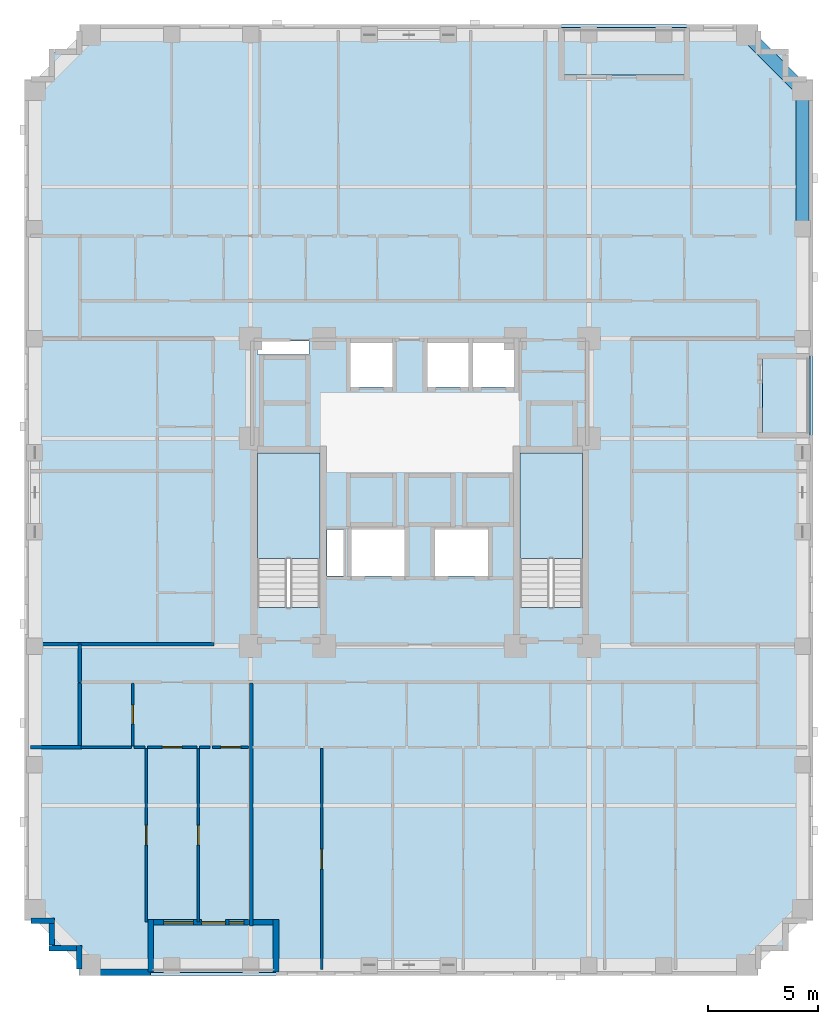
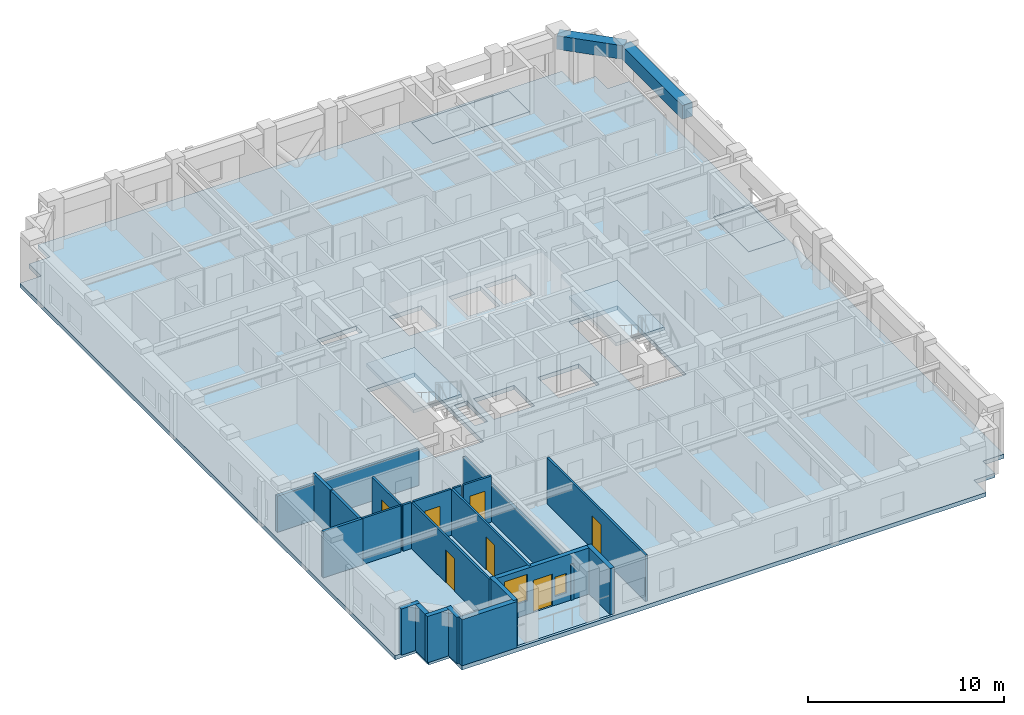
# One storey, part 2 of 12: 22 walls, 7 doors, 6 slabs, 2 beams, 2 windows, 9 openings, 2 elements without a shape of their own.
"""IFC4 building model written with IfcOpenShell, lengths in metres."""

from ifc_helpers import new_model, si_unit, derived_unit, direction, frame, frame_2d, origin, origin_2d, place, context, subcontext, project, spatial, polyline, rectangle, outline, extrude, material, layer, layer_set, material_profile, profile_set, type_object, element, fill, aggregate, save


model = new_model("IFC4")

# Units and contexts
model_context = context("Model", 3, precision=1e-05, world=origin(), true_north=direction((0.0, 1.0)))
body_context = subcontext(model_context, "Body", "Model", "MODEL_VIEW")
ifc_project = project(units=[si_unit("LENGTHUNIT", "METRE"), si_unit("AREAUNIT", "SQUARE_METRE"), si_unit("VOLUMEUNIT", "CUBIC_METRE"), si_unit("PLANEANGLEUNIT", "RADIAN"), si_unit("MASSUNIT", "GRAM", prefix="KILO"), derived_unit("THERMALTRANSMITTANCEUNIT", [(si_unit("MASSUNIT", "GRAM", prefix="KILO"), 1), (si_unit("TIMEUNIT", "SECOND"), -3), (si_unit("THERMODYNAMICTEMPERATUREUNIT", "KELVIN"), -1)])], contexts=[model_context])

# Site, building, storey
site_placement = place(None, origin())
site = spatial("IfcSite", under=ifc_project, at=site_placement, CompositionType="ELEMENT")
building_placement = place(site_placement, origin())
building = spatial("IfcBuilding", under=site, at=building_placement, Name="Korrvale Station Residences", CompositionType="ELEMENT")
storey_placement = place(building_placement, frame((0.0, 0.0, 116.699951171875)))
storey = spatial("IfcBuildingStorey", under=building, at=storey_placement, Name="L33", CompositionType="ELEMENT", Elevation=116.699951171875)

# Beams
ifc_material_1 = material(Name="Concrete C60/75", Category="concrete")
ifc_material_profile = material_profile(ifc_material_1, rectangle(XDim=0.60009765625, YDim=0.85009765625, at=origin_2d()), Name="RCB600x850")
ifc_profile_set = profile_set([ifc_material_profile], Name="Concrete C60/75")
beam_type = type_object("IfcBeamType", Name="BM-SPB-RCB600x850-C6075", PredefinedType="SPANDREL", material=ifc_profile_set)
beam_1_placement = place(storey_placement, frame((42.919921875, 34.0, 2.455078125), z_axis=(0.0, 1.0, 0.0), x_axis=(-1.0, 0.0, 0.0)))
element("IfcBeam", 1, at=beam_1_placement, inside=storey, type_object=beam_type, Name="L33 East Tube Spandrel 28", PredefinedType="SPANDREL", context=body_context, shape_type="SweptSolid", body=[
    extrude(rectangle(XDim=0.60009765625, YDim=0.85009765625, at=origin_2d()), origin(), (0.0, 0.0, 1.0), 6.300048828125),
])
beam_2_placement = place(storey_placement, frame((40.39990234375, 42.820068359375, 2.455078125), z_axis=(0.707106781187, -0.707106781187, 0.0), x_axis=(0.707106781187, 0.707106781187, 0.0)))
element("IfcBeam", 2, at=beam_2_placement, inside=storey, type_object=beam_type, Name="L33 Serrated Corner Spandrel 31", PredefinedType="SPANDREL", context=body_context, shape_type="SweptSolid", body=[
    extrude(rectangle(XDim=0.60009765625, YDim=0.85009765625, at=origin_2d()), origin(), (0.0, 0.0, 1.0), 3.56396484375),
])

# Slabs
ifc_material_2 = material(Name="Concrete C50/60", Category="concrete")
ifc_layer_1 = layer(ifc_material_2, 0.219970703125, Name="Concrete C50/60")
ifc_layer_set_1 = layer_set([ifc_layer_1], Name="Concrete C50/60")
slab_type_1 = type_object("IfcSlabType", Name="SLB-BAL-220", PredefinedType="FLOOR", material=ifc_layer_set_1)
slab_1_placement = place(storey_placement, frame((0.0, 0.0, -0.219970703125)))
element("IfcSlab", 3, at=slab_1_placement, inside=storey, type_object=slab_type_1, Name="L33 Recessed Loggia Balcony Slab BAL-L33-S1", PredefinedType="FLOOR", context=body_context, shape_type="SweptSolid", body=[
    extrude(outline(polyline([(13.25, 0.14990234375), (18.949951171875, 0.14990234375), (18.949951171875, 2.300048828125), (13.25, 2.300048828125), (13.25, 0.14990234375)])), origin(), (0.0, 0.0, 1.0), 0.219970703125),
])
slab_2_placement = place(storey_placement, frame((0.0, 0.0, -0.219970703125)))
element("IfcSlab", 4, at=slab_2_placement, inside=storey, type_object=slab_type_1, Name="L33 Recessed Loggia Balcony Slab BAL-L33-N1", PredefinedType="FLOOR", context=body_context, shape_type="SweptSolid", body=[
    extrude(outline(polyline([(31.949951171875, 41.0), (37.64990234375, 41.0), (37.64990234375, 43.14990234375), (31.949951171875, 43.14990234375), (31.949951171875, 41.0)])), origin(), (0.0, 0.0, 1.0), 0.219970703125),
])
slab_3_placement = place(storey_placement, frame((0.0, 0.0, -0.219970703125)))
element("IfcSlab", 5, at=slab_3_placement, inside=storey, type_object=slab_type_1, Name="L33 Recessed Loggia Balcony Slab BAL-L33-E1", PredefinedType="FLOOR", context=body_context, shape_type="SweptSolid", body=[
    extrude(outline(polyline([(41.10009765625, 24.60009765625), (43.25, 24.60009765625), (43.25, 28.199951171875), (41.10009765625, 28.199951171875), (41.10009765625, 24.60009765625)])), origin(), (0.0, 0.0, 1.0), 0.219970703125),
])
ifc_layer_2 = layer(ifc_material_2, 0.260009765625, Name="Concrete C50/60")
ifc_layer_set_2 = layer_set([ifc_layer_2], Name="Concrete C50/60")
slab_type_2 = type_object("IfcSlabType", Name="SLB-FLR-260", PredefinedType="FLOOR", material=ifc_layer_set_2)
slab_4_placement = place(storey_placement, frame((0.0, 0.0, -0.260009765625)))
element("IfcSlab", 6, at=slab_4_placement, inside=storey, type_object=slab_type_2, Name="L33 Suspended Structural Floor Slab", PredefinedType="FLOOR", context=body_context, shape_type="SweptSolid", body=[
    extrude(outline(polyline([(10.0, 0.0), (40.89990234375, 0.0), (40.89990234375, 1.25), (42.14990234375, 1.25), (42.14990234375, 2.5), (43.39990234375, 2.5), (43.39990234375, 40.800048828125), (42.14990234375, 40.800048828125), (42.14990234375, 42.050048828125), (40.89990234375, 42.050048828125), (40.89990234375, 43.300048828125), (10.0, 43.300048828125), (10.0, 42.050048828125), (8.75, 42.050048828125), (8.75, 40.800048828125), (7.5, 40.800048828125), (7.5, 2.5), (8.75, 2.5), (8.75, 1.25), (10.0, 1.25), (10.0, 0.0)]), holes=[polyline([(20.949951171875, 16.751953125), (20.949951171875, 23.800048828125), (18.10009765625, 23.800048828125), (18.10009765625, 16.751953125), (20.949951171875, 16.751953125)]), polyline([(32.89990234375, 16.751953125), (32.89990234375, 23.800048828125), (30.050048828125, 23.800048828125), (30.050048828125, 16.751953125), (32.89990234375, 16.751953125)]), polyline([(22.35009765625, 26.800048828125), (24.25, 26.800048828125), (24.25, 28.800048828125), (22.35009765625, 28.800048828125), (22.35009765625, 26.800048828125)]), polyline([(25.85009765625, 26.800048828125), (27.7099609375, 26.800048828125), (27.7099609375, 28.800048828125), (25.85009765625, 28.800048828125), (25.85009765625, 26.800048828125)]), polyline([(27.929931640625, 26.800048828125), (29.7900390625, 26.800048828125), (29.7900390625, 28.800048828125), (27.929931640625, 28.800048828125), (27.929931640625, 26.800048828125)]), polyline([(22.39990234375, 18.199951171875), (24.800048828125, 18.199951171875), (24.800048828125, 20.300048828125), (22.39990234375, 20.300048828125), (22.39990234375, 18.199951171875)]), polyline([(26.199951171875, 18.199951171875), (28.60009765625, 18.199951171875), (28.60009765625, 20.300048828125), (26.199951171875, 20.300048828125), (26.199951171875, 18.199951171875)]), polyline([(18.10009765625, 28.280029296875), (20.449951171875, 28.280029296875), (20.449951171875, 28.8798828125), (18.10009765625, 28.8798828125), (18.10009765625, 28.280029296875)]), polyline([(21.280029296875, 18.199951171875), (22.02001953125, 18.199951171875), (22.02001953125, 20.300048828125), (21.280029296875, 20.300048828125), (21.280029296875, 18.199951171875)]), polyline([(13.25, 0.14990234375), (18.949951171875, 0.14990234375), (18.949951171875, 2.300048828125), (13.25, 2.300048828125), (13.25, 0.14990234375)]), polyline([(31.949951171875, 41.0), (37.64990234375, 41.0), (37.64990234375, 43.14990234375), (31.949951171875, 43.14990234375), (31.949951171875, 41.0)]), polyline([(41.10009765625, 24.60009765625), (43.25, 24.60009765625), (43.25, 28.199951171875), (41.10009765625, 28.199951171875), (41.10009765625, 24.60009765625)])]), origin(), (0.0, 0.0, 1.0), 0.260009765625),
])

# Stair, slab
stair_type = type_object("IfcStairType", Name="STR-DL-1350-18R-1778", PredefinedType="HALF_TURN_STAIR", material=ifc_material_2)
stair_1_placement = place(storey_placement, origin())
stair_1 = element("IfcStair", 7, at=stair_1_placement, inside=storey, type_object=stair_type, Name="L33 Exit Stair 1", PredefinedType="HALF_TURN_STAIR")
ifc_layer_3 = layer(ifc_material_2, 0.199951171875, Name="Concrete C50/60")
ifc_layer_set_3 = layer_set([ifc_layer_3], Name="Concrete C50/60")
slab_type_3 = type_object("IfcSlabType", Name="SLB-LND-200", PredefinedType="LANDING", material=ifc_layer_set_3)
slab_5_placement = place(storey_placement, frame((0.0, 0.0, 1.400146484375)))
slab_5 = element("IfcSlab", 8, at=slab_5_placement, type_object=slab_type_3, Name="ST-1 landing 1", PredefinedType="LANDING", context=body_context, shape_type="SweptSolid", body=[
    extrude(outline(polyline([(20.949951171875, 18.989990234375), (20.949951171875, 23.800048828125), (18.10009765625, 23.800048828125), (18.10009765625, 18.989990234375), (20.949951171875, 18.989990234375)])), origin(), (0.0, 0.0, 1.0), 0.199951171875),
])
aggregate(stair_1, [slab_5])

stair_2_placement = place(storey_placement, origin())
stair_2 = element("IfcStair", 9, at=stair_2_placement, inside=storey, type_object=stair_type, Name="L33 Exit Stair 2", PredefinedType="HALF_TURN_STAIR")
slab_6_placement = place(storey_placement, frame((0.0, 0.0, 1.400146484375)))
slab_6 = element("IfcSlab", 10, at=slab_6_placement, type_object=slab_type_3, Name="ST-2 landing 1", PredefinedType="LANDING", context=body_context, shape_type="SweptSolid", body=[
    extrude(outline(polyline([(32.89990234375, 18.989990234375), (32.89990234375, 23.800048828125), (30.050048828125, 23.800048828125), (30.050048828125, 18.989990234375), (32.89990234375, 18.989990234375)])), origin(), (0.0, 0.0, 1.0), 0.199951171875),
])
aggregate(stair_2, [slab_6])

# Wall
ifc_material_3 = material(Name="Precast concrete C45/55", Category="concrete")
ifc_layer_4 = layer(ifc_material_3, 0.260009765625, Name="Precast concrete C45/55")
ifc_layer_set_4 = layer_set([ifc_layer_4], Name="Precast concrete C45/55")
wall_type_1 = type_object("IfcWallType", Name="WAL-EXT-LOG260", PredefinedType="SOLIDWALL", material=ifc_layer_set_4)
wall_1_placement = place(storey_placement, frame((18.949951171875, 0.159912109375, 0.0), z_axis=(0.0, 0.0, 1.0), x_axis=(0.0, 1.0, 0.0)))
element("IfcWall", 11, at=wall_1_placement, inside=storey, type_object=wall_type_1, Name="L33 Recessed Loggia Wall BAL-L33-S1-L", PredefinedType="SOLIDWALL", context=body_context, shape_type="SweptSolid", body=[
    extrude(rectangle(XDim=2.400146484375, YDim=0.260009765625, at=frame_2d((1.2001953125, 0.0))), origin(), (0.0, 0.0, 1.0), 2.880126953125),
])

# Wall, openings, door, windows
wall_2_placement = place(storey_placement, frame((18.81591796875, 2.429931640625, 0.0), z_axis=(0.0, 0.0, 1.0), x_axis=(-1.0, 0.0, 0.0)))
wall_2 = element("IfcWall", 12, at=wall_2_placement, inside=storey, type_object=wall_type_1, Name="L33 Recessed Loggia Wall BAL-L33-S1-B", PredefinedType="SOLIDWALL", context=body_context, shape_type="SweptSolid", body=[
    extrude(rectangle(XDim=5.431884765625, YDim=0.260009765625, at=frame_2d((2.7158203125, 0.0))), origin(), (0.0, 0.0, 1.0), 2.880126953125),
])
opening_1_placement = place(wall_2_placement, frame((2.160888671875, 0.0, 0.0)))
opening_1 = element("IfcOpeningElement", 13, at=opening_1_placement, cuts=wall_2, Name="Opening BD-01", PredefinedType="OPENING", context=body_context, shape_type="SweptSolid", body=[
    extrude(rectangle(XDim=1.10009765625, YDim=2.0, at=frame_2d((0.550048828125, 1.0))), frame((0.0, 0.14013671875, 0.0), z_axis=(0.0, -1.0, 0.0), x_axis=(1.0, 0.0, 0.0)), (0.0, 0.0, 1.0), 0.280029296875),
])
opening_2_placement = place(wall_2_placement, frame((3.625, 0.0, 0.85009765625)))
opening_2 = element("IfcOpeningElement", 14, at=opening_2_placement, cuts=wall_2, Name="Opening W-06", PredefinedType="OPENING", context=body_context, shape_type="SweptSolid", body=[
    extrude(rectangle(XDim=1.35009765625, YDim=1.64990234375, at=frame_2d((0.675048828125, 0.824951171875))), frame((0.0, 0.14013671875, 0.0), z_axis=(0.0, -1.0, 0.0), x_axis=(1.0, 0.0, 0.0)), (0.0, 0.0, 1.0), 0.280029296875),
])
opening_3_placement = place(wall_2_placement, frame((1.321044921875, 0.0, 0.550048828125)))
opening_3 = element("IfcOpeningElement", 15, at=opening_3_placement, cuts=wall_2, Name="Opening W-12", PredefinedType="OPENING", context=body_context, shape_type="SweptSolid", body=[
    extrude(rectangle(XDim=0.679931640625, YDim=1.199951171875, at=frame_2d((0.33984375, 0.60009765625))), frame((0.0, 0.14013671875, 0.0), z_axis=(0.0, -1.0, 0.0), x_axis=(1.0, 0.0, 0.0)), (0.0, 0.0, 1.0), 0.280029296875),
])
ifc_material_4 = material(Name="Exterior thermally broken aluminium glazed balcony door", Category="aluminium")
door_type_1 = type_object("IfcDoorType", Name="DR-EXT-BAL", OperationType="NOTDEFINED", PredefinedType="DOOR", material=ifc_material_4)
door_1_placement = place(opening_1_placement, origin())
door_1 = element("IfcDoor", 16, at=door_1_placement, inside=storey, type_object=door_type_1, Name="L33 Loggia Balcony Door BAL-L33-S1", OperationType="SINGLE_SWING_LEFT", OverallHeight=2.0, OverallWidth=1.10009765625, PredefinedType="DOOR", context=body_context, shape_type="SweptSolid", body=[
    extrude(rectangle(XDim=1.10009765625, YDim=2.0, at=frame_2d((0.550048828125, 1.0))), frame((0.0, 0.02490234375, 0.0), z_axis=(0.0, -1.0, 0.0), x_axis=(1.0, 0.0, 0.0)), (0.0, 0.0, 1.0), 0.050048828125),
])
fill(opening_1, door_1)
ifc_material_5 = material(Name="Thermally broken aluminium frame with triple low-e glazing", Category="aluminium")
window_type_1 = type_object("IfcWindowType", Name="WIN-W06", PartitioningType="SINGLE_PANEL", PredefinedType="WINDOW", material=ifc_material_5)
window_1_placement = place(opening_2_placement, origin())
window_1 = element("IfcWindow", 17, at=window_1_placement, inside=storey, type_object=window_type_1, Name="L33 Punched Window 03", OverallHeight=1.64990234375, OverallWidth=1.35009765625, PartitioningType="SINGLE_PANEL", PredefinedType="WINDOW", context=body_context, shape_type="SweptSolid", body=[
    extrude(rectangle(XDim=1.35009765625, YDim=1.64990234375, at=frame_2d((0.675048828125, 0.824951171875))), frame((0.0, 0.030029296875, 0.0), z_axis=(0.0, -1.0, 0.0), x_axis=(1.0, 0.0, 0.0)), (0.0, 0.0, 1.0), 0.06005859375),
])
fill(opening_2, window_1)
window_type_2 = type_object("IfcWindowType", Name="WIN-W12", PartitioningType="SINGLE_PANEL", PredefinedType="WINDOW", material=ifc_material_5)
window_2_placement = place(opening_3_placement, origin())
window_2 = element("IfcWindow", 18, at=window_2_placement, inside=storey, type_object=window_type_2, Name="L33 Punched Window 04", OverallHeight=1.199951171875, OverallWidth=0.679931640625, PartitioningType="SINGLE_PANEL", PredefinedType="WINDOW", context=body_context, shape_type="SweptSolid", body=[
    extrude(rectangle(XDim=0.679931640625, YDim=1.199951171875, at=frame_2d((0.33984375, 0.60009765625))), frame((0.0, 0.030029296875, 0.0), z_axis=(0.0, -1.0, 0.0), x_axis=(1.0, 0.0, 0.0)), (0.0, 0.0, 1.0), 0.06005859375),
])
fill(opening_3, window_2)

# Walls
wall_3_placement = place(storey_placement, frame((13.25, 2.56005859375, 0.0), z_axis=(0.0, 0.0, 1.0), x_axis=(0.0, -1.0, 0.0)))
element("IfcWall", 19, at=wall_3_placement, inside=storey, type_object=wall_type_1, Name="L33 Recessed Loggia Wall BAL-L33-S1-R", PredefinedType="SOLIDWALL", context=body_context, shape_type="SweptSolid", body=[
    extrude(rectangle(XDim=2.400146484375, YDim=0.260009765625, at=frame_2d((1.2001953125, 0.0))), origin(), (0.0, 0.0, 1.0), 2.880126953125),
])
wall_4_placement = place(storey_placement, frame((10.0, 0.302001953125, 0.0), z_axis=(0.0, 0.0, 1.0), x_axis=(0.0, 1.0, 0.0)))
element("IfcWall", 20, at=wall_4_placement, inside=storey, type_object=wall_type_1, Name="L33 Serrated Corner Precast Step SW-1", PredefinedType="SOLIDWALL", context=body_context, shape_type="SweptSolid", body=[
    extrude(rectangle(XDim=1.077880859375, YDim=0.260009765625, at=frame_2d((0.5390625, 0.0))), origin(), (0.0, 0.0, 1.0), 2.880126953125),
])
wall_5_placement = place(storey_placement, frame((9.867919921875, 1.25, 0.0), z_axis=(0.0, 0.0, 1.0), x_axis=(-1.0, 0.0, 0.0)))
element("IfcWall", 21, at=wall_5_placement, inside=storey, type_object=wall_type_1, Name="L33 Serrated Corner Precast Step SW-2", PredefinedType="SOLIDWALL", context=body_context, shape_type="SweptSolid", body=[
    extrude(rectangle(XDim=1.247802734375, YDim=0.260009765625, at=frame_2d((0.6240234375, 0.0))), origin(), (0.0, 0.0, 1.0), 2.880126953125),
])
wall_6_placement = place(storey_placement, frame((8.75, 1.382080078125, 0.0), z_axis=(0.0, 0.0, 1.0), x_axis=(0.0, 1.0, 0.0)))
element("IfcWall", 22, at=wall_6_placement, inside=storey, type_object=wall_type_1, Name="L33 Serrated Corner Precast Step SW-3", PredefinedType="SOLIDWALL", context=body_context, shape_type="SweptSolid", body=[
    extrude(rectangle(XDim=0.98583984375, YDim=0.260009765625, at=frame_2d((0.492919921875, 0.0))), origin(), (0.0, 0.0, 1.0), 2.880126953125),
])
wall_7_placement = place(storey_placement, frame((8.8798828125, 2.5, 0.0), z_axis=(0.0, 0.0, 1.0), x_axis=(-1.0, 0.0, 0.0)))
element("IfcWall", 23, at=wall_7_placement, inside=storey, type_object=wall_type_1, Name="L33 Serrated Corner Precast Step SW-4", PredefinedType="SOLIDWALL", context=body_context, shape_type="SweptSolid", body=[
    extrude(rectangle(XDim=1.077880859375, YDim=0.260009765625, at=frame_2d((0.5390625, 0.0))), origin(), (0.0, 0.0, 1.0), 2.880126953125),
])
ifc_layer_5 = layer(ifc_material_3, 0.300048828125, Name="Precast concrete C45/55")
ifc_layer_set_5 = layer_set([ifc_layer_5], Name="Precast concrete C45/55")
wall_type_2 = type_object("IfcWallType", Name="WAL-EXT-PC300", PredefinedType="SOLIDWALL", material=ifc_layer_set_5)
wall_8_placement = place(storey_placement, frame((13.25, 0.14990234375, 0.0), z_axis=(0.0, 0.0, 1.0), x_axis=(-1.0, 0.0, 0.0)))
element("IfcWall", 24, at=wall_8_placement, inside=storey, type_object=wall_type_2, Name="L33 South Exterior Precast Wall 2", PredefinedType="SOLIDWALL", context=body_context, shape_type="SweptSolid", body=[
    extrude(rectangle(XDim=3.25, YDim=0.300048828125, at=frame_2d((1.625, 0.0))), origin(), (0.0, 0.0, 1.0), 2.880126953125),
])

# Wall, opening, door
ifc_material_6 = material(Name="Acoustic steel-stud gypsum board partition", Category="steel")
ifc_layer_6 = layer(ifc_material_6, 0.1201171875, Name="Acoustic steel-stud gypsum board partition")
ifc_layer_set_6 = layer_set([ifc_layer_6], Name="Acoustic steel-stud gypsum board partition")
wall_type_3 = type_object("IfcWallType", Name="WAL-PART-125", PredefinedType="PARTITIONING", material=ifc_layer_set_6)
wall_9_placement = place(storey_placement, frame((12.431884765625, 10.4599609375, 0.0), z_axis=(0.0, 0.0, 1.0), x_axis=(0.0, 1.0, 0.0)))
wall_9 = element("IfcWall", 25, at=wall_9_placement, inside=storey, type_object=wall_type_3, Name="L33 Suite Partition U01-V01", PredefinedType="PARTITIONING", context=body_context, shape_type="SweptSolid", body=[
    extrude(rectangle(XDim=2.85009765625, YDim=0.1201171875, at=frame_2d((1.425048828125, 0.0))), origin(), (0.0, 0.0, 1.0), 2.880126953125),
])
opening_4_placement = place(wall_9_placement, frame((0.9951171875, 0.0, 0.0)))
opening_4 = element("IfcOpeningElement", 26, at=opening_4_placement, cuts=wall_9, Name="Opening DB-860", PredefinedType="OPENING", context=body_context, shape_type="SweptSolid", body=[
    extrude(rectangle(XDim=0.860107421875, YDim=2.050048828125, at=frame_2d((0.43017578125, 1.02490234375))), frame((0.0, 0.070068359375, 0.0), z_axis=(0.0, -1.0, 0.0), x_axis=(1.0, 0.0, 0.0)), (0.0, 0.0, 1.0), 0.14013671875),
])
ifc_material_7 = material(Name="Moisture-resistant solid-core bathroom door", Category="timber")
door_type_2 = type_object("IfcDoorType", Name="DR-BATH-860", OperationType="NOTDEFINED", PredefinedType="DOOR", material=ifc_material_7)
door_2_placement = place(opening_4_placement, origin())
door_2 = element("IfcDoor", 27, at=door_2_placement, inside=storey, type_object=door_type_2, Name="L33 Apartment 2BR L33-U01 Bathroom Door", OperationType="SINGLE_SWING_RIGHT", OverallHeight=2.050048828125, OverallWidth=0.860107421875, PredefinedType="DOOR", context=body_context, shape_type="SweptSolid", body=[
    extrude(rectangle(XDim=0.860107421875, YDim=2.050048828125, at=frame_2d((0.43017578125, 1.02490234375))), frame((0.0, 0.02490234375, 0.0), z_axis=(0.0, -1.0, 0.0), x_axis=(1.0, 0.0, 0.0)), (0.0, 0.0, 1.0), 0.050048828125),
])
fill(opening_4, door_2)

# Walls
wall_10_placement = place(storey_placement, frame((10.080078125, 10.39990234375, 0.0), z_axis=(0.0, 0.0, 1.0), x_axis=(1.0, 0.0, 0.0)))
element("IfcWall", 28, at=wall_10_placement, inside=storey, type_object=wall_type_3, Name="L33 Suite Partition U01-H03", PredefinedType="PARTITIONING", context=body_context, shape_type="SweptSolid", body=[
    extrude(rectangle(XDim=2.2919921875, YDim=0.1201171875, at=frame_2d((1.14599609375, 0.0))), origin(), (0.0, 0.0, 1.0), 2.880126953125),
])
wall_11_placement = place(storey_placement, frame((12.491943359375, 10.39990234375, 0.0), z_axis=(0.0, 0.0, 1.0), x_axis=(1.0, 0.0, 0.0)))
element("IfcWall", 29, at=wall_11_placement, inside=storey, type_object=wall_type_3, Name="L33 Suite Partition U01-H13", PredefinedType="PARTITIONING", context=body_context, shape_type="SweptSolid", body=[
    extrude(rectangle(XDim=0.498046875, YDim=0.1201171875, at=frame_2d((0.2490234375, 0.0))), origin(), (0.0, 0.0, 1.0), 2.880126953125),
])

# Wall, opening, door
wall_12_placement = place(storey_placement, frame((13.110107421875, 10.39990234375, 0.0), z_axis=(0.0, 0.0, 1.0), x_axis=(1.0, 0.0, 0.0)))
wall_12 = element("IfcWall", 30, at=wall_12_placement, inside=storey, type_object=wall_type_3, Name="L33 Suite Partition U01-H14", PredefinedType="PARTITIONING", context=body_context, shape_type="SweptSolid", body=[
    extrude(rectangle(XDim=2.244873046875, YDim=0.1201171875, at=frame_2d((1.12255859375, 0.0))), origin(), (0.0, 0.0, 1.0), 2.880126953125),
])
opening_5_placement = place(wall_12_placement, frame((0.673095703125, 0.0, 0.0)))
opening_5 = element("IfcOpeningElement", 31, at=opening_5_placement, cuts=wall_12, Name="Opening DI-900", PredefinedType="OPENING", context=body_context, shape_type="SweptSolid", body=[
    extrude(rectangle(XDim=0.89990234375, YDim=2.050048828125, at=frame_2d((0.449951171875, 1.02490234375))), frame((0.0, 0.070068359375, 0.0), z_axis=(0.0, -1.0, 0.0), x_axis=(1.0, 0.0, 0.0)), (0.0, 0.0, 1.0), 0.14013671875),
])
ifc_material_8 = material(Name="Painted solid-core timber interior room door", Category="wood")
door_type_3 = type_object("IfcDoorType", Name="DR-INT-900", OperationType="NOTDEFINED", PredefinedType="DOOR", material=ifc_material_8)
door_3_placement = place(opening_5_placement, origin())
door_3 = element("IfcDoor", 32, at=door_3_placement, inside=storey, type_object=door_type_3, Name="L33 Apartment 2BR L33-U01 Kitchen Door", OperationType="SINGLE_SWING_RIGHT", OverallHeight=2.050048828125, OverallWidth=0.89990234375, PredefinedType="DOOR", context=body_context, shape_type="SweptSolid", body=[
    extrude(rectangle(XDim=0.89990234375, YDim=2.050048828125, at=frame_2d((0.449951171875, 1.02490234375))), frame((0.0, 0.02490234375, 0.0), z_axis=(0.0, -1.0, 0.0), x_axis=(1.0, 0.0, 0.0)), (0.0, 0.0, 1.0), 0.050048828125),
])
fill(opening_5, door_3)

# Wall
wall_13_placement = place(storey_placement, frame((15.47509765625, 10.39990234375, 0.0), z_axis=(0.0, 0.0, 1.0), x_axis=(1.0, 0.0, 0.0)))
element("IfcWall", 33, at=wall_13_placement, inside=storey, type_object=wall_type_3, Name="L33 Suite Partition U01-H15", PredefinedType="PARTITIONING", context=body_context, shape_type="SweptSolid", body=[
    extrude(rectangle(XDim=0.466796875, YDim=0.1201171875, at=frame_2d((0.2333984375, 0.0))), origin(), (0.0, 0.0, 1.0), 2.880126953125),
])

# Wall, opening, door
wall_14_placement = place(storey_placement, frame((16.06201171875, 10.39990234375, 0.0), z_axis=(0.0, 0.0, 1.0), x_axis=(1.0, 0.0, 0.0)))
wall_14 = element("IfcWall", 34, at=wall_14_placement, inside=storey, type_object=wall_type_3, Name="L33 Suite Partition U01-H25", PredefinedType="PARTITIONING", context=body_context, shape_type="SweptSolid", body=[
    extrude(rectangle(XDim=1.657958984375, YDim=0.1201171875, at=frame_2d((0.8291015625, 0.0))), origin(), (0.0, 0.0, 1.0), 2.880126953125),
])
opening_6_placement = place(wall_14_placement, frame((0.37890625, 0.0, 0.0)))
opening_6 = element("IfcOpeningElement", 35, at=opening_6_placement, cuts=wall_14, Name="Opening DI-900", PredefinedType="OPENING", context=body_context, shape_type="SweptSolid", body=[
    extrude(rectangle(XDim=0.89990234375, YDim=2.050048828125, at=frame_2d((0.449951171875, 1.02490234375))), frame((0.0, 0.070068359375, 0.0), z_axis=(0.0, -1.0, 0.0), x_axis=(1.0, 0.0, 0.0)), (0.0, 0.0, 1.0), 0.14013671875),
])
door_4_placement = place(opening_6_placement, origin())
door_4 = element("IfcDoor", 36, at=door_4_placement, inside=storey, type_object=door_type_3, Name="L33 Apartment 2BR L33-U01 Utility and Laundry Room Door", OperationType="SINGLE_SWING_LEFT", OverallHeight=2.050048828125, OverallWidth=0.89990234375, PredefinedType="DOOR", context=body_context, shape_type="SweptSolid", body=[
    extrude(rectangle(XDim=0.89990234375, YDim=2.050048828125, at=frame_2d((0.449951171875, 1.02490234375))), frame((0.0, 0.02490234375, 0.0), z_axis=(0.0, -1.0, 0.0), x_axis=(1.0, 0.0, 0.0)), (0.0, 0.0, 1.0), 0.050048828125),
])
fill(opening_6, door_4)

wall_15_placement = place(storey_placement, frame((13.050048828125, 2.429931640625, 0.0), z_axis=(0.0, 0.0, 1.0), x_axis=(0.0, 1.0, 0.0)))
wall_15 = element("IfcWall", 37, at=wall_15_placement, inside=storey, type_object=wall_type_3, Name="L33 Suite Partition U01-V34", PredefinedType="PARTITIONING", context=body_context, shape_type="SweptSolid", body=[
    extrude(rectangle(XDim=7.91015625, YDim=0.1201171875, at=frame_2d((3.955078125, 0.0))), origin(), (0.0, 0.0, 1.0), 2.880126953125),
])
opening_7_placement = place(wall_15_placement, frame((3.5048828125, 0.0, 0.0)))
opening_7 = element("IfcOpeningElement", 38, at=opening_7_placement, cuts=wall_15, Name="Opening DI-900", PredefinedType="OPENING", context=body_context, shape_type="SweptSolid", body=[
    extrude(rectangle(XDim=0.89990234375, YDim=2.050048828125, at=frame_2d((0.449951171875, 1.02490234375))), frame((0.0, 0.070068359375, 0.0), z_axis=(0.0, -1.0, 0.0), x_axis=(1.0, 0.0, 0.0)), (0.0, 0.0, 1.0), 0.14013671875),
])
door_5_placement = place(opening_7_placement, origin())
door_5 = element("IfcDoor", 39, at=door_5_placement, inside=storey, type_object=door_type_3, Name="L33 Apartment 2BR L33-U01 Living and Dining Room Door", OperationType="SINGLE_SWING_RIGHT", OverallHeight=2.050048828125, OverallWidth=0.89990234375, PredefinedType="DOOR", context=body_context, shape_type="SweptSolid", body=[
    extrude(rectangle(XDim=0.89990234375, YDim=2.050048828125, at=frame_2d((0.449951171875, 1.02490234375))), frame((0.0, 0.02490234375, 0.0), z_axis=(0.0, -1.0, 0.0), x_axis=(1.0, 0.0, 0.0)), (0.0, 0.0, 1.0), 0.050048828125),
])
fill(opening_7, door_5)

wall_16_placement = place(storey_placement, frame((15.4150390625, 2.429931640625, 0.0), z_axis=(0.0, 0.0, 1.0), x_axis=(0.0, 1.0, 0.0)))
wall_16 = element("IfcWall", 40, at=wall_16_placement, inside=storey, type_object=wall_type_3, Name="L33 Suite Partition U01-V45", PredefinedType="PARTITIONING", context=body_context, shape_type="SweptSolid", body=[
    extrude(rectangle(XDim=7.91015625, YDim=0.1201171875, at=frame_2d((3.955078125, 0.0))), origin(), (0.0, 0.0, 1.0), 2.880126953125),
])
opening_8_placement = place(wall_16_placement, frame((3.5048828125, 0.0, 0.0)))
opening_8 = element("IfcOpeningElement", 41, at=opening_8_placement, cuts=wall_16, Name="Opening DI-900", PredefinedType="OPENING", context=body_context, shape_type="SweptSolid", body=[
    extrude(rectangle(XDim=0.89990234375, YDim=2.050048828125, at=frame_2d((0.449951171875, 1.02490234375))), frame((0.0, 0.070068359375, 0.0), z_axis=(0.0, -1.0, 0.0), x_axis=(1.0, 0.0, 0.0)), (0.0, 0.0, 1.0), 0.14013671875),
])
door_6_placement = place(opening_8_placement, origin())
door_6 = element("IfcDoor", 42, at=door_6_placement, inside=storey, type_object=door_type_3, Name="L33 Apartment 2BR L33-U01 Bedroom 1 Door", OperationType="SINGLE_SWING_LEFT", OverallHeight=2.050048828125, OverallWidth=0.89990234375, PredefinedType="DOOR", context=body_context, shape_type="SweptSolid", body=[
    extrude(rectangle(XDim=0.89990234375, YDim=2.050048828125, at=frame_2d((0.449951171875, 1.02490234375))), frame((0.0, 0.02490234375, 0.0), z_axis=(0.0, -1.0, 0.0), x_axis=(1.0, 0.0, 0.0)), (0.0, 0.0, 1.0), 0.050048828125),
])
fill(opening_8, door_6)

wall_17_placement = place(storey_placement, frame((21.0400390625, 0.280029296875, 0.0), z_axis=(0.0, 0.0, 1.0), x_axis=(0.0, 1.0, 0.0)))
wall_17 = element("IfcWall", 43, at=wall_17_placement, inside=storey, type_object=wall_type_3, Name="L33 Suite Partition U02-V78", PredefinedType="PARTITIONING", context=body_context, shape_type="SweptSolid", body=[
    extrude(rectangle(XDim=10.06005859375, YDim=0.1201171875, at=frame_2d((5.030029296875, 0.0))), origin(), (0.0, 0.0, 1.0), 2.880126953125),
])
opening_9_placement = place(wall_17_placement, frame((4.56494140625, 0.0, 0.0)))
opening_9 = element("IfcOpeningElement", 44, at=opening_9_placement, cuts=wall_17, Name="Opening DI-900", PredefinedType="OPENING", context=body_context, shape_type="SweptSolid", body=[
    extrude(rectangle(XDim=0.89990234375, YDim=2.050048828125, at=frame_2d((0.449951171875, 1.02490234375))), frame((0.0, 0.070068359375, 0.0), z_axis=(0.0, -1.0, 0.0), x_axis=(1.0, 0.0, 0.0)), (0.0, 0.0, 1.0), 0.14013671875),
])
door_7_placement = place(opening_9_placement, origin())
door_7 = element("IfcDoor", 45, at=door_7_placement, inside=storey, type_object=door_type_3, Name="L33 Studio Apartment L33-U02 Formal Dining Room Door", OperationType="SINGLE_SWING_RIGHT", OverallHeight=2.050048828125, OverallWidth=0.89990234375, PredefinedType="DOOR", context=body_context, shape_type="SweptSolid", body=[
    extrude(rectangle(XDim=0.89990234375, YDim=2.050048828125, at=frame_2d((0.449951171875, 1.02490234375))), frame((0.0, 0.02490234375, 0.0), z_axis=(0.0, -1.0, 0.0), x_axis=(1.0, 0.0, 0.0)), (0.0, 0.0, 1.0), 0.050048828125),
])
fill(opening_9, door_7)

# Walls
ifc_material_9 = material(Name="Fire-rated twin-stud gypsum and mineral wool shaftwall assembly", Category="gypsum")
ifc_layer_7 = layer(ifc_material_9, 0.159912109375, Name="Fire-rated twin-stud gypsum and mineral wool shaftwall assembly")
ifc_layer_set_7 = layer_set([ifc_layer_7], Name="Fire-rated twin-stud gypsum and mineral wool shaftwall assembly")
wall_type_4 = type_object("IfcWallType", Name="WAL-PART-200", PredefinedType="PARTITIONING", material=ifc_layer_set_7)
wall_18_placement = place(storey_placement, frame((10.02001953125, 13.35009765625, 0.0), z_axis=(0.0, 0.0, 1.0), x_axis=(0.0, 1.0, 0.0)))
element("IfcWall", 46, at=wall_18_placement, inside=storey, type_object=wall_type_4, Name="L33 Corridor South West Cap", PredefinedType="PARTITIONING", context=body_context, shape_type="SweptSolid", body=[
    extrude(rectangle(XDim=1.739990234375, YDim=0.159912109375, at=frame_2d((0.8701171875, 0.0))), origin(), (0.0, 0.0, 1.0), 2.880126953125),
])
wall_19_placement = place(storey_placement, frame((7.780029296875, 15.090087890625, 0.0), z_axis=(0.0, 0.0, 1.0), x_axis=(1.0, 0.0, 0.0)))
element("IfcWall", 47, at=wall_19_placement, inside=storey, type_object=wall_type_4, Name="L33 West Wing South Corridor Wall", PredefinedType="PARTITIONING", context=body_context, shape_type="SweptSolid", body=[
    extrude(rectangle(XDim=8.35986328125, YDim=0.159912109375, at=frame_2d((4.179931640625, 0.0))), origin(), (0.0, 0.0, 1.0), 2.2529296875),
])
wall_20_placement = place(storey_placement, frame((7.780029296875, 10.39990234375, 0.0), z_axis=(0.0, 0.0, 1.0), x_axis=(1.0, 0.0, 0.0)))
element("IfcWall", 48, at=wall_20_placement, inside=storey, type_object=wall_type_4, Name="L33 Corner Step Wall U01-L", PredefinedType="PARTITIONING", context=body_context, shape_type="SweptSolid", body=[
    extrude(rectangle(XDim=2.340087890625, YDim=0.159912109375, at=frame_2d((1.169921875, 0.0))), origin(), (0.0, 0.0, 1.0), 2.880126953125),
])
wall_21_placement = place(storey_placement, frame((10.02001953125, 10.39990234375, 0.0), z_axis=(0.0, 0.0, 1.0), x_axis=(0.0, 1.0, 0.0)))
element("IfcWall", 49, at=wall_21_placement, inside=storey, type_object=wall_type_4, Name="L33 Corner Step Cheek U01-L", PredefinedType="PARTITIONING", context=body_context, shape_type="SweptSolid", body=[
    extrude(rectangle(XDim=2.91015625, YDim=0.159912109375, at=frame_2d((1.455078125, 0.0))), origin(), (0.0, 0.0, 1.0), 2.880126953125),
])
wall_22_placement = place(storey_placement, frame((17.820068359375, 2.260009765625, 0.0), z_axis=(0.0, 0.0, 1.0), x_axis=(0.0, 1.0, 0.0)))
element("IfcWall", 50, at=wall_22_placement, inside=storey, type_object=wall_type_4, Name="L33 Demising Wall U02-W", PredefinedType="PARTITIONING", context=body_context, shape_type="SweptSolid", body=[
    extrude(rectangle(XDim=11.050048828125, YDim=0.159912109375, at=frame_2d((5.52490234375, 0.0))), origin(), (0.0, 0.0, 1.0), 2.2529296875),
])

save(model, "model.ifc")
